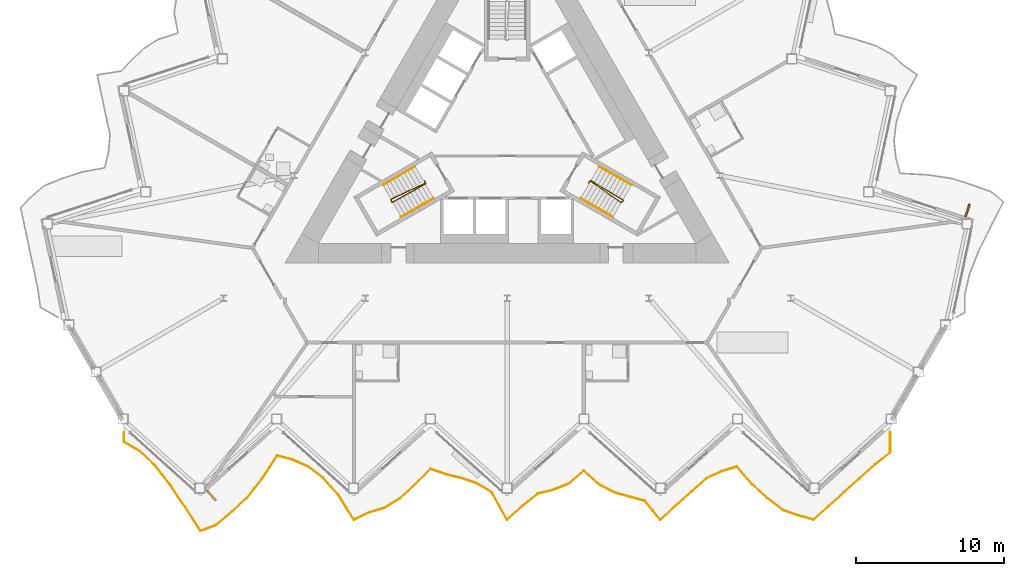
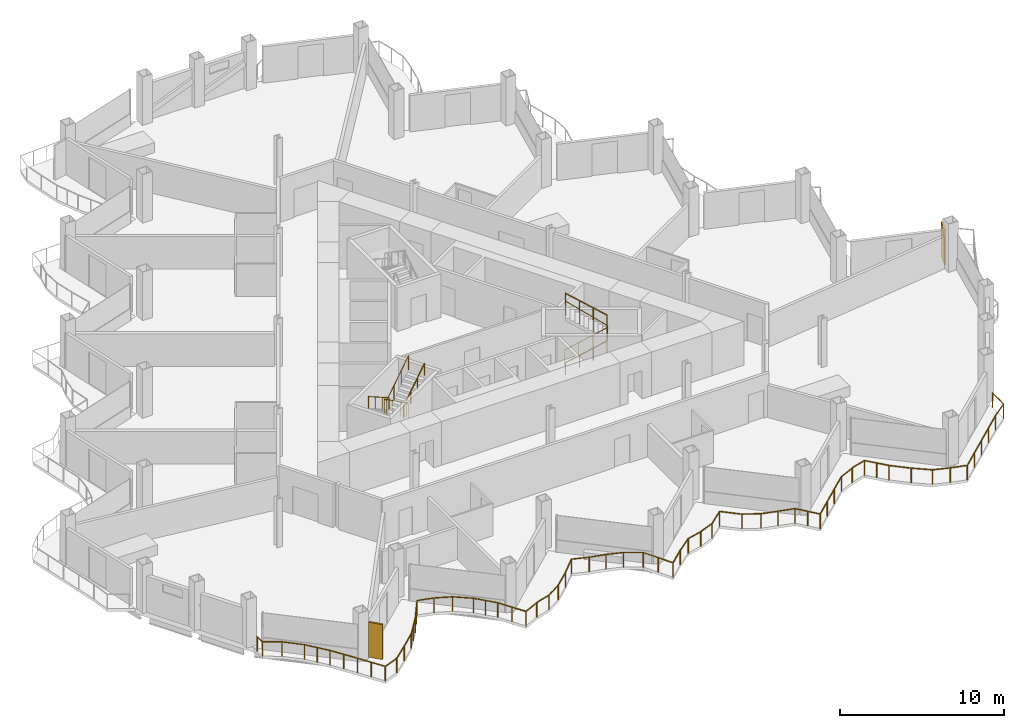
# One storey, part 19 of 23: 7 railings, 2 shading devices.
"""IFC4 building model written with IfcOpenShell, lengths in metres."""

from ifc_helpers import new_model, si_unit, direction, frame, origin, origin_2d, place, context, subcontext, project, spatial, rectangle, circle, extrude, material, layer, layer_set, type_object, element, save


model = new_model("IFC4")

# Units and contexts
model_context = context("Model", 3, precision=1e-05, world=origin(), true_north=direction((0.0, 1.0)))
body_context = subcontext(model_context, "Body", "Model", "MODEL_VIEW")
ifc_project = project(units=[si_unit("LENGTHUNIT", "METRE"), si_unit("AREAUNIT", "SQUARE_METRE"), si_unit("VOLUMEUNIT", "CUBIC_METRE"), si_unit("PLANEANGLEUNIT", "RADIAN"), si_unit("MASSUNIT", "GRAM", prefix="KILO")], contexts=[model_context])

# Site, building, storey
site_placement = place(None, origin())
site = spatial("IfcSite", under=ifc_project, at=site_placement, CompositionType="ELEMENT")
building_placement = place(site_placement, origin())
building = spatial("IfcBuilding", under=site, at=building_placement, Name="Cormorant Prow Tower", CompositionType="ELEMENT")
storey_placement = place(building_placement, frame((0.0, 0.0, 249.0)))
storey = spatial("IfcBuildingStorey", under=building, at=storey_placement, Name="L55", CompositionType="ELEMENT", Elevation=249.0)

# Railings
ifc_material_1 = material(Name="Aluminium 6063-T6", Category="aluminium")
railing_type_1 = type_object("IfcRailingType", Name="Balcony guard 1100", PredefinedType="GUARDRAIL", material=ifc_material_1)
railing_1_placement = place(storey_placement, frame((-25.87841796875, -20.13818359375, 0.0)))
element("IfcRailing", 1, at=railing_1_placement, inside=storey, type_object=railing_type_1, Name="Balcony guard S", PredefinedType="GUARDRAIL", context=body_context, shape_type="SweptSolid", body=[
    extrude(circle(Radius=0.02392578125, at=origin_2d()), frame((0.0, 0.0, 1.076171875), z_axis=(0.0, -1.0, 0.0), x_axis=(1.0, 0.0, 0.0)), (0.0, 0.0, 1.0), 0.63623046875),
    extrude(circle(Radius=0.02392578125, at=origin_2d()), frame((0.0, -0.63623046875, 1.076171875), z_axis=(0.864731790858, -0.502233939394, 0.0), x_axis=(0.502233939394, 0.864731790858, 0.0)), (0.0, 0.0, 1.0), 1.19677734375),
    extrude(circle(Radius=0.02392578125, at=origin_2d()), frame((1.034912109375, -1.2373046875, 1.076171875), z_axis=(0.734783516972, -0.67830169039, 0.0), x_axis=(0.67830169039, 0.734783516972, 0.0)), (0.0, 0.0, 1.0), 1.4091796875),
    extrude(circle(Radius=0.02392578125, at=origin_2d()), frame((2.0703125, -2.193115234375, 1.076171875), z_axis=(0.621882143602, -0.783110847498, 0.0), x_axis=(0.783110847498, 0.621882143602, 0.0)), (0.0, 0.0, 1.0), 1.6640625),
    extrude(circle(Radius=0.02392578125, at=origin_2d()), frame((3.105224609375, -3.496337890625, 1.076171875), z_axis=(0.557245233894, -0.830347968807, 0.0), x_axis=(0.830347968807, 0.557245233894, 0.0)), (0.0, 0.0, 1.0), 1.857666015625),
    extrude(circle(Radius=0.02392578125, at=origin_2d()), frame((4.140380859375, -5.038818359375, 1.076171875), z_axis=(0.542301653449, -0.840183858846, 0.0), x_axis=(0.840183858846, 0.542301653449, 0.0)), (0.0, 0.0, 1.0), 1.908935546875),
    extrude(circle(Radius=0.02392578125, at=origin_2d()), frame((5.175537109375, -6.642578125, 1.076171875), z_axis=(0.93413827097, 0.356911320512, 0.0), x_axis=(-0.356911320512, 0.93413827097, 0.0)), (0.0, 0.0, 1.0), 1.108154296875),
    extrude(circle(Radius=0.02392578125, at=origin_2d()), frame((6.210693359375, -6.2470703125, 1.076171875), z_axis=(0.761584658057, 0.648065435441, 0.0), x_axis=(-0.648065435441, 0.761584658057, 0.0)), (0.0, 0.0, 1.0), 1.359130859375),
    extrude(circle(Radius=0.02392578125, at=origin_2d()), frame((7.245849609375, -5.3662109375, 1.076171875), z_axis=(0.743119825219, 0.669158370916, 0.0), x_axis=(-0.669158370916, 0.743119825219, 0.0)), (0.0, 0.0, 1.0), 1.39306640625),
    extrude(circle(Radius=0.02392578125, at=origin_2d()), frame((8.281005859375, -4.43408203125, 1.076171875), z_axis=(0.622186479432, 0.782869072587, 0.0), x_axis=(-0.782869072587, 0.622186479432, 0.0)), (0.0, 0.0, 1.0), 1.663818359375),
    extrude(circle(Radius=0.02392578125, at=origin_2d()), frame((9.316162109375, -3.131591796875, 1.076171875), z_axis=(0.548772346659, 0.835971836573, 0.0), x_axis=(-0.835971836573, 0.548772346659, 0.0)), (0.0, 0.0, 1.0), 1.88623046875),
    extrude(circle(Radius=0.02392578125, at=origin_2d()), frame((10.351318359375, -1.5546875, 1.076171875), z_axis=(0.965988710951, -0.2585842422, 0.0), x_axis=(0.2585842422, 0.965988710951, 0.0)), (0.0, 0.0, 1.0), 1.071533203125),
    extrude(circle(Radius=0.02392578125, at=origin_2d()), frame((11.386474609375, -1.831787109375, 1.076171875), z_axis=(0.914486230803, -0.404617020987, 0.0), x_axis=(0.404617020987, 0.914486230803, 0.0)), (0.0, 0.0, 1.0), 1.1318359375),
    extrude(circle(Radius=0.02392578125, at=origin_2d()), frame((12.421630859375, -2.289794921875, 1.076171875), z_axis=(0.7996377542, -0.60048269089, 0.0), x_axis=(0.60048269089, 0.7996377542, 0.0)), (0.0, 0.0, 1.0), 1.29443359375),
    extrude(circle(Radius=0.02392578125, at=origin_2d()), frame((13.456787109375, -3.067138671875, 1.076171875), z_axis=(0.671568341198, -0.740942617954, 0.0), x_axis=(0.740942617954, 0.671568341198, 0.0)), (0.0, 0.0, 1.0), 1.54150390625),
    extrude(circle(Radius=0.02392578125, at=origin_2d()), frame((14.491943359375, -4.209228515625, 1.076171875), z_axis=(0.526645354626, -0.850085096005, 0.0), x_axis=(0.850085096005, 0.526645354626, 0.0)), (0.0, 0.0, 1.0), 1.965576171875),
    extrude(circle(Radius=0.02392578125, at=origin_2d()), frame((15.527099609375, -5.880126953125, 1.076171875), z_axis=(0.90332085821, 0.428965531393, 0.0), x_axis=(-0.428965531393, 0.90332085821, 0.0)), (0.0, 0.0, 1.0), 1.145751953125),
    extrude(circle(Radius=0.02392578125, at=origin_2d()), frame((16.56201171875, -5.388671875, 1.076171875), z_axis=(0.958834598019, 0.283965162724, 0.0), x_axis=(-0.283965162724, 0.958834598019, 0.0)), (0.0, 0.0, 1.0), 1.079833984375),
    extrude(circle(Radius=0.02392578125, at=origin_2d()), frame((17.597412109375, -5.08203125, 1.076171875), z_axis=(0.847582419617, 0.530663774867, 0.0), x_axis=(-0.530663774867, 0.847582419617, 0.0)), (0.0, 0.0, 1.0), 1.220947265625),
    extrude(circle(Radius=0.02392578125, at=origin_2d()), frame((18.63232421875, -4.43408203125, 1.076171875), z_axis=(0.743198288412, 0.669071224984, 0.0), x_axis=(-0.669071224984, 0.743198288412, 0.0)), (0.0, 0.0, 1.0), 1.39306640625),
    extrude(circle(Radius=0.02392578125, at=origin_2d()), frame((19.667724609375, -3.501953125, 1.076171875), z_axis=(0.701871936926, 0.712303154672, 0.0), x_axis=(-0.712303154672, 0.701871936926, 0.0)), (0.0, 0.0, 1.0), 1.474609375),
    extrude(circle(Radius=0.02392578125, at=origin_2d()), frame((20.70263671875, -2.45166015625, 1.076171875), z_axis=(0.943788930542, -0.330548717418, 0.0), x_axis=(0.330548717418, 0.943788930542, 0.0)), (0.0, 0.0, 1.0), 1.096923828125),
    extrude(circle(Radius=0.02392578125, at=origin_2d()), frame((21.73779296875, -2.814208984375, 1.076171875), z_axis=(0.97051833299, -0.241027312415, 0.0), x_axis=(0.241027312415, 0.97051833299, 0.0)), (0.0, 0.0, 1.0), 1.066650390625),
    extrude(circle(Radius=0.02392578125, at=origin_2d()), frame((22.77294921875, -3.0712890625, 1.076171875), z_axis=(0.947830404548, -0.318775037001, 0.0), x_axis=(0.318775037001, 0.947830404548, 0.0)), (0.0, 0.0, 1.0), 1.092041015625),
    extrude(circle(Radius=0.02392578125, at=origin_2d()), frame((23.80810546875, -3.41943359375, 1.076171875), z_axis=(0.861589246456, -0.50760611737, 0.0), x_axis=(0.50760611737, 0.861589246456, 0.0)), (0.0, 0.0, 1.0), 1.201416015625),
    extrude(circle(Radius=0.02392578125, at=origin_2d()), frame((24.84326171875, -4.029296875, 1.076171875), z_axis=(0.488133539836, -0.872768954127, 0.0), x_axis=(0.872768954127, 0.488133539836, 0.0)), (0.0, 0.0, 1.0), 2.12060546875),
    extrude(circle(Radius=0.02392578125, at=origin_2d()), frame((25.87841796875, -5.880126953125, 1.076171875), z_axis=(0.743206981817, 0.669061568301, 0.0), x_axis=(-0.669061568301, 0.743206981817, 0.0)), (0.0, 0.0, 1.0), 1.392822265625),
    extrude(circle(Radius=0.02392578125, at=origin_2d()), frame((26.91357421875, -4.9482421875, 1.076171875), z_axis=(0.782666453868, 0.622441340199, 0.0), x_axis=(-0.622441340199, 0.782666453868, 0.0)), (0.0, 0.0, 1.0), 1.322509765625),
    extrude(circle(Radius=0.02392578125, at=origin_2d()), frame((27.94873046875, -4.125, 1.076171875), z_axis=(0.969493451379, 0.245117212235, 0.0), x_axis=(-0.245117212235, 0.969493451379, 0.0)), (0.0, 0.0, 1.0), 1.067626953125),
    extrude(circle(Radius=0.02392578125, at=origin_2d()), frame((28.98388671875, -3.86328125, 1.076171875), z_axis=(0.932367359596, 0.361512249806, 0.0), x_axis=(-0.361512249806, 0.932367359596, 0.0)), (0.0, 0.0, 1.0), 1.1103515625),
    extrude(circle(Radius=0.02392578125, at=origin_2d()), frame((30.01904296875, -3.4619140625, 1.076171875), z_axis=(0.757601893747, 0.652716914589, 0.0), x_axis=(-0.652716914589, 0.757601893747, 0.0)), (0.0, 0.0, 1.0), 1.366455078125),
    extrude(circle(Radius=0.02392578125, at=origin_2d()), frame((31.05419921875, -2.570068359375, 1.076171875), z_axis=(0.743128501462, -0.66914873557, 0.0), x_axis=(0.66914873557, 0.743128501462, 0.0)), (0.0, 0.0, 1.0), 1.392578125),
    extrude(circle(Radius=0.02392578125, at=origin_2d()), frame((32.089111328125, -3.501953125, 1.076171875), z_axis=(0.884411054708, -0.466708781051, 0.0), x_axis=(0.466708781051, 0.884411054708, 0.0)), (0.0, 0.0, 1.0), 1.170654296875),
    extrude(circle(Radius=0.02392578125, at=origin_2d()), frame((33.12451171875, -4.04833984375, 1.076171875), z_axis=(0.964305649487, -0.264791643313, 0.0), x_axis=(0.264791643313, 0.964305649487, 0.0)), (0.0, 0.0, 1.0), 1.0732421875),
    extrude(circle(Radius=0.02392578125, at=origin_2d()), frame((34.159423828125, -4.33251953125, 1.076171875), z_axis=(0.96537578836, -0.26086315809, 0.0), x_axis=(0.26086315809, 0.96537578836, 0.0)), (0.0, 0.0, 1.0), 1.072509765625),
    extrude(circle(Radius=0.02392578125, at=origin_2d()), frame((35.19482421875, -4.6123046875, 1.076171875), z_axis=(0.632360047149, -0.774674622516, 0.0), x_axis=(0.774674622516, 0.632360047149, 0.0)), (0.0, 0.0, 1.0), 1.636474609375),
    extrude(circle(Radius=0.02392578125, at=origin_2d()), frame((36.229736328125, -5.880126953125, 1.076171875), z_axis=(0.743206981817, 0.669061568301, 0.0), x_axis=(-0.669061568301, 0.743206981817, 0.0)), (0.0, 0.0, 1.0), 1.392822265625),
    extrude(circle(Radius=0.02392578125, at=origin_2d()), frame((37.264892578125, -4.9482421875, 1.076171875), z_axis=(0.743119825219, 0.669158370916, 0.0), x_axis=(-0.669158370916, 0.743119825219, 0.0)), (0.0, 0.0, 1.0), 1.39306640625),
    extrude(circle(Radius=0.02392578125, at=origin_2d()), frame((38.300048828125, -4.01611328125, 1.076171875), z_axis=(0.743206981817, 0.669061568301, 0.0), x_axis=(-0.669061568301, 0.743206981817, 0.0)), (0.0, 0.0, 1.0), 1.392822265625),
    extrude(circle(Radius=0.02392578125, at=origin_2d()), frame((39.335205078125, -3.084228515625, 1.076171875), z_axis=(0.909335405661, 0.416063841269, 0.0), x_axis=(-0.416063841269, 0.909335405661, 0.0)), (0.0, 0.0, 1.0), 1.138427734375),
    extrude(circle(Radius=0.02392578125, at=origin_2d()), frame((40.370361328125, -2.610595703125, 1.076171875), z_axis=(0.957888441811, 0.287140615458, 0.0), x_axis=(-0.287140615458, 0.957888441811, 0.0)), (0.0, 0.0, 1.0), 1.08056640625),
    extrude(circle(Radius=0.02392578125, at=origin_2d()), frame((41.405517578125, -2.30029296875, 1.076171875), z_axis=(0.652665528351, -0.757646162864, 0.0), x_axis=(0.757646162864, 0.652665528351, 0.0)), (0.0, 0.0, 1.0), 1.5859375),
    extrude(circle(Radius=0.02392578125, at=origin_2d()), frame((42.440673828125, -3.501953125, 1.076171875), z_axis=(0.743119825219, -0.669158370916, 0.0), x_axis=(0.669158370916, 0.743119825219, 0.0)), (0.0, 0.0, 1.0), 1.39306640625),
    extrude(circle(Radius=0.02392578125, at=origin_2d()), frame((43.475830078125, -4.43408203125, 1.076171875), z_axis=(0.790685851487, -0.612222087366, 0.0), x_axis=(0.612222087366, 0.790685851487, 0.0)), (0.0, 0.0, 1.0), 1.30908203125),
    extrude(circle(Radius=0.02392578125, at=origin_2d()), frame((44.510986328125, -5.235595703125, 1.076171875), z_axis=(0.945240232719, -0.326375401109, 0.0), x_axis=(0.326375401109, 0.945240232719, 0.0)), (0.0, 0.0, 1.0), 1.09521484375),
    extrude(circle(Radius=0.02392578125, at=origin_2d()), frame((45.546142578125, -5.593017578125, 1.076171875), z_axis=(0.96362202887, -0.267268751404, 0.0), x_axis=(0.267268751404, 0.96362202887, 0.0)), (0.0, 0.0, 1.0), 1.07421875),
    extrude(circle(Radius=0.02392578125, at=origin_2d()), frame((46.581298828125, -5.880126953125, 1.076171875), z_axis=(0.743206981817, 0.669061568301, 0.0), x_axis=(-0.669061568301, 0.743206981817, 0.0)), (0.0, 0.0, 1.0), 1.392822265625),
    extrude(circle(Radius=0.02392578125, at=origin_2d()), frame((47.616455078125, -4.9482421875, 1.076171875), z_axis=(0.743119825219, 0.669158370916, 0.0), x_axis=(-0.669158370916, 0.743119825219, 0.0)), (0.0, 0.0, 1.0), 1.39306640625),
    extrude(circle(Radius=0.02392578125, at=origin_2d()), frame((48.651611328125, -4.01611328125, 1.076171875), z_axis=(0.743128501462, 0.66914873557, 0.0), x_axis=(-0.66914873557, 0.743128501462, 0.0)), (0.0, 0.0, 1.0), 1.392578125),
    extrude(circle(Radius=0.02392578125, at=origin_2d()), frame((49.6865234375, -3.084228515625, 1.076171875), z_axis=(0.743198288412, 0.669071224984, 0.0), x_axis=(-0.669071224984, 0.743198288412, 0.0)), (0.0, 0.0, 1.0), 1.39306640625),
    extrude(circle(Radius=0.02392578125, at=origin_2d()), frame((50.721923828125, -2.152099609375, 1.076171875), z_axis=(0.789261978019, 0.614056617954, 0.0), x_axis=(-0.614056617954, 0.789261978019, 0.0)), (0.0, 0.0, 1.0), 1.311279296875),
    extrude(circle(Radius=0.02392578125, at=origin_2d()), frame((51.7568359375, -1.346923828125, 1.076171875), z_axis=(0.0, 1.0, 0.0), x_axis=(-1.0, 0.0, 0.0)), (0.0, 0.0, 1.0), 1.346923828125),
    extrude(circle(Radius=0.02099609375, at=origin_2d()), origin(), (0.0, 0.0, 1.0), 1.052001953125),
    extrude(circle(Radius=0.02099609375, at=origin_2d()), frame((0.0, -0.63623046875, 0.0)), (0.0, 0.0, 1.0), 1.052001953125),
    extrude(circle(Radius=0.02099609375, at=origin_2d()), frame((1.034912109375, -1.2373046875, 0.0)), (0.0, 0.0, 1.0), 1.052001953125),
    extrude(circle(Radius=0.02099609375, at=origin_2d()), frame((2.0703125, -2.193115234375, 0.0)), (0.0, 0.0, 1.0), 1.052001953125),
    extrude(circle(Radius=0.02099609375, at=origin_2d()), frame((2.587890625, -2.8447265625, 0.0)), (0.0, 0.0, 1.0), 1.052001953125),
    extrude(circle(Radius=0.02099609375, at=origin_2d()), frame((3.105224609375, -3.496337890625, 0.0)), (0.0, 0.0, 1.0), 1.052001953125),
    extrude(circle(Radius=0.02099609375, at=origin_2d()), frame((3.622802734375, -4.267578125, 0.0)), (0.0, 0.0, 1.0), 1.052001953125),
    extrude(circle(Radius=0.02099609375, at=origin_2d()), frame((4.140380859375, -5.038818359375, 0.0)), (0.0, 0.0, 1.0), 1.052001953125),
    extrude(circle(Radius=0.02099609375, at=origin_2d()), frame((4.657958984375, -5.8408203125, 0.0)), (0.0, 0.0, 1.0), 1.052001953125),
    extrude(circle(Radius=0.02099609375, at=origin_2d()), frame((5.175537109375, -6.642578125, 0.0)), (0.0, 0.0, 1.0), 1.052001953125),
    extrude(circle(Radius=0.02099609375, at=origin_2d()), frame((6.210693359375, -6.2470703125, 0.0)), (0.0, 0.0, 1.0), 1.052001953125),
    extrude(circle(Radius=0.02099609375, at=origin_2d()), frame((7.245849609375, -5.3662109375, 0.0)), (0.0, 0.0, 1.0), 1.052001953125),
    extrude(circle(Radius=0.02099609375, at=origin_2d()), frame((8.281005859375, -4.43408203125, 0.0)), (0.0, 0.0, 1.0), 1.052001953125),
    extrude(circle(Radius=0.02099609375, at=origin_2d()), frame((8.798583984375, -3.78271484375, 0.0)), (0.0, 0.0, 1.0), 1.052001953125),
    extrude(circle(Radius=0.02099609375, at=origin_2d()), frame((9.316162109375, -3.131591796875, 0.0)), (0.0, 0.0, 1.0), 1.052001953125),
    extrude(circle(Radius=0.02099609375, at=origin_2d()), frame((9.833740234375, -2.34326171875, 0.0)), (0.0, 0.0, 1.0), 1.052001953125),
    extrude(circle(Radius=0.02099609375, at=origin_2d()), frame((10.351318359375, -1.5546875, 0.0)), (0.0, 0.0, 1.0), 1.052001953125),
    extrude(circle(Radius=0.02099609375, at=origin_2d()), frame((11.386474609375, -1.831787109375, 0.0)), (0.0, 0.0, 1.0), 1.052001953125),
    extrude(circle(Radius=0.02099609375, at=origin_2d()), frame((12.421630859375, -2.289794921875, 0.0)), (0.0, 0.0, 1.0), 1.052001953125),
    extrude(circle(Radius=0.02099609375, at=origin_2d()), frame((13.456787109375, -3.067138671875, 0.0)), (0.0, 0.0, 1.0), 1.052001953125),
    extrude(circle(Radius=0.02099609375, at=origin_2d()), frame((13.974365234375, -3.63818359375, 0.0)), (0.0, 0.0, 1.0), 1.052001953125),
    extrude(circle(Radius=0.02099609375, at=origin_2d()), frame((14.491943359375, -4.209228515625, 0.0)), (0.0, 0.0, 1.0), 1.052001953125),
    extrude(circle(Radius=0.02099609375, at=origin_2d()), frame((15.009521484375, -5.044677734375, 0.0)), (0.0, 0.0, 1.0), 1.052001953125),
    extrude(circle(Radius=0.02099609375, at=origin_2d()), frame((15.527099609375, -5.880126953125, 0.0)), (0.0, 0.0, 1.0), 1.052001953125),
    extrude(circle(Radius=0.02099609375, at=origin_2d()), frame((16.56201171875, -5.388671875, 0.0)), (0.0, 0.0, 1.0), 1.052001953125),
    extrude(circle(Radius=0.02099609375, at=origin_2d()), frame((17.597412109375, -5.08203125, 0.0)), (0.0, 0.0, 1.0), 1.052001953125),
    extrude(circle(Radius=0.02099609375, at=origin_2d()), frame((18.63232421875, -4.43408203125, 0.0)), (0.0, 0.0, 1.0), 1.052001953125),
    extrude(circle(Radius=0.02099609375, at=origin_2d()), frame((19.667724609375, -3.501953125, 0.0)), (0.0, 0.0, 1.0), 1.052001953125),
    extrude(circle(Radius=0.02099609375, at=origin_2d()), frame((20.70263671875, -2.45166015625, 0.0)), (0.0, 0.0, 1.0), 1.052001953125),
    extrude(circle(Radius=0.02099609375, at=origin_2d()), frame((21.73779296875, -2.814208984375, 0.0)), (0.0, 0.0, 1.0), 1.052001953125),
    extrude(circle(Radius=0.02099609375, at=origin_2d()), frame((22.77294921875, -3.0712890625, 0.0)), (0.0, 0.0, 1.0), 1.052001953125),
    extrude(circle(Radius=0.02099609375, at=origin_2d()), frame((23.80810546875, -3.41943359375, 0.0)), (0.0, 0.0, 1.0), 1.052001953125),
    extrude(circle(Radius=0.02099609375, at=origin_2d()), frame((24.84326171875, -4.029296875, 0.0)), (0.0, 0.0, 1.0), 1.052001953125),
    extrude(circle(Radius=0.02099609375, at=origin_2d()), frame((25.36083984375, -4.95458984375, 0.0)), (0.0, 0.0, 1.0), 1.052001953125),
    extrude(circle(Radius=0.02099609375, at=origin_2d()), frame((25.87841796875, -5.880126953125, 0.0)), (0.0, 0.0, 1.0), 1.052001953125),
    extrude(circle(Radius=0.02099609375, at=origin_2d()), frame((26.91357421875, -4.9482421875, 0.0)), (0.0, 0.0, 1.0), 1.052001953125),
    extrude(circle(Radius=0.02099609375, at=origin_2d()), frame((27.94873046875, -4.125, 0.0)), (0.0, 0.0, 1.0), 1.052001953125),
    extrude(circle(Radius=0.02099609375, at=origin_2d()), frame((28.98388671875, -3.86328125, 0.0)), (0.0, 0.0, 1.0), 1.052001953125),
    extrude(circle(Radius=0.02099609375, at=origin_2d()), frame((30.01904296875, -3.4619140625, 0.0)), (0.0, 0.0, 1.0), 1.052001953125),
    extrude(circle(Radius=0.02099609375, at=origin_2d()), frame((31.05419921875, -2.570068359375, 0.0)), (0.0, 0.0, 1.0), 1.052001953125),
    extrude(circle(Radius=0.02099609375, at=origin_2d()), frame((32.089111328125, -3.501953125, 0.0)), (0.0, 0.0, 1.0), 1.052001953125),
    extrude(circle(Radius=0.02099609375, at=origin_2d()), frame((33.12451171875, -4.04833984375, 0.0)), (0.0, 0.0, 1.0), 1.052001953125),
    extrude(circle(Radius=0.02099609375, at=origin_2d()), frame((34.159423828125, -4.33251953125, 0.0)), (0.0, 0.0, 1.0), 1.052001953125),
    extrude(circle(Radius=0.02099609375, at=origin_2d()), frame((35.19482421875, -4.6123046875, 0.0)), (0.0, 0.0, 1.0), 1.052001953125),
    extrude(circle(Radius=0.02099609375, at=origin_2d()), frame((35.71240234375, -5.24609375, 0.0)), (0.0, 0.0, 1.0), 1.052001953125),
    extrude(circle(Radius=0.02099609375, at=origin_2d()), frame((36.229736328125, -5.880126953125, 0.0)), (0.0, 0.0, 1.0), 1.052001953125),
    extrude(circle(Radius=0.02099609375, at=origin_2d()), frame((37.264892578125, -4.9482421875, 0.0)), (0.0, 0.0, 1.0), 1.052001953125),
    extrude(circle(Radius=0.02099609375, at=origin_2d()), frame((38.300048828125, -4.01611328125, 0.0)), (0.0, 0.0, 1.0), 1.052001953125),
    extrude(circle(Radius=0.02099609375, at=origin_2d()), frame((39.335205078125, -3.084228515625, 0.0)), (0.0, 0.0, 1.0), 1.052001953125),
    extrude(circle(Radius=0.02099609375, at=origin_2d()), frame((40.370361328125, -2.610595703125, 0.0)), (0.0, 0.0, 1.0), 1.052001953125),
    extrude(circle(Radius=0.02099609375, at=origin_2d()), frame((41.405517578125, -2.30029296875, 0.0)), (0.0, 0.0, 1.0), 1.052001953125),
    extrude(circle(Radius=0.02099609375, at=origin_2d()), frame((41.923095703125, -2.901123046875, 0.0)), (0.0, 0.0, 1.0), 1.052001953125),
    extrude(circle(Radius=0.02099609375, at=origin_2d()), frame((42.440673828125, -3.501953125, 0.0)), (0.0, 0.0, 1.0), 1.052001953125),
    extrude(circle(Radius=0.02099609375, at=origin_2d()), frame((43.475830078125, -4.43408203125, 0.0)), (0.0, 0.0, 1.0), 1.052001953125),
    extrude(circle(Radius=0.02099609375, at=origin_2d()), frame((44.510986328125, -5.235595703125, 0.0)), (0.0, 0.0, 1.0), 1.052001953125),
    extrude(circle(Radius=0.02099609375, at=origin_2d()), frame((45.546142578125, -5.593017578125, 0.0)), (0.0, 0.0, 1.0), 1.052001953125),
    extrude(circle(Radius=0.02099609375, at=origin_2d()), frame((46.581298828125, -5.880126953125, 0.0)), (0.0, 0.0, 1.0), 1.052001953125),
    extrude(circle(Radius=0.02099609375, at=origin_2d()), frame((47.616455078125, -4.9482421875, 0.0)), (0.0, 0.0, 1.0), 1.052001953125),
    extrude(circle(Radius=0.02099609375, at=origin_2d()), frame((48.651611328125, -4.01611328125, 0.0)), (0.0, 0.0, 1.0), 1.052001953125),
    extrude(circle(Radius=0.02099609375, at=origin_2d()), frame((49.6865234375, -3.084228515625, 0.0)), (0.0, 0.0, 1.0), 1.052001953125),
    extrude(circle(Radius=0.02099609375, at=origin_2d()), frame((50.721923828125, -2.152099609375, 0.0)), (0.0, 0.0, 1.0), 1.052001953125),
    extrude(circle(Radius=0.02099609375, at=origin_2d()), frame((51.7568359375, -1.346923828125, 0.0)), (0.0, 0.0, 1.0), 1.052001953125),
    extrude(circle(Radius=0.02099609375, at=origin_2d()), frame((51.7568359375, 0.0, 0.0)), (0.0, 0.0, 1.0), 1.052001953125),
])
ifc_material_2 = material(Name="Stainless steel", Category="steel")
railing_type_2 = type_object("IfcRailingType", Name="Stair guard 1100", PredefinedType="GUARDRAIL", material=ifc_material_2)
railing_2_placement = place(storey_placement, frame((-5.585205078125, -3.137939453125, 0.0)))
element("IfcRailing", 2, at=railing_2_placement, inside=storey, type_object=railing_type_2, Name="L55 ST1 stair guard 1", PredefinedType="GUARDRAIL", context=body_context, shape_type="SweptSolid", body=[
    extrude(circle(Radius=0.02392578125, at=origin_2d()), frame((0.0, 0.0, 1.076171875), z_axis=(0.501036270542, -0.865426285481, 0.0), x_axis=(0.865426285481, 0.501036270542, 0.0)), (0.0, 0.0, 1.0), 0.150146484375),
    extrude(circle(Radius=0.02392578125, at=origin_2d()), frame((0.0751953125, -0.1298828125, 1.076171875), z_axis=(-0.739707038506, -0.353624380995, 0.572523619033), x_axis=(0.431308035802, -0.902204731895, 0.0)), (0.0, 0.0, 1.0), 3.14404296875),
    extrude(circle(Radius=0.02392578125, at=origin_2d()), frame((-2.25048828125, -1.24169921875, 2.8759765625), z_axis=(0.274721127897, -0.961523947641, 0.0), x_axis=(0.961523947641, 0.274721127897, 0.0)), (0.0, 0.0, 1.0), 0.2060546875),
    extrude(circle(Radius=0.02392578125, at=origin_2d()), frame((-2.19384765625, -1.43994140625, 2.8759765625), z_axis=(0.717223475266, 0.39568267656, 0.573607623727), x_axis=(-0.483052234887, 0.87559153626, 0.0)), (0.0, 0.0, 1.0), 3.13818359375),
    extrude(circle(Radius=0.02099609375, at=origin_2d()), origin(), (0.0, 0.0, 1.0), 1.052001953125),
    extrude(circle(Radius=0.02099609375, at=origin_2d()), frame((0.0751953125, -0.1298828125, 0.0)), (0.0, 0.0, 1.0), 1.052001953125),
    extrude(circle(Radius=0.02099609375, at=origin_2d()), frame((-0.699951171875, -0.50048828125, 0.60009765625)), (0.0, 0.0, 1.0), 1.052001953125),
    extrude(circle(Radius=0.02099609375, at=origin_2d()), frame((-1.475341796875, -0.87109375, 1.199951171875)), (0.0, 0.0, 1.0), 1.052001953125),
    extrude(circle(Radius=0.02099609375, at=origin_2d()), frame((-2.25048828125, -1.24169921875, 1.800048828125)), (0.0, 0.0, 1.0), 1.052001953125),
    extrude(circle(Radius=0.02099609375, at=origin_2d()), frame((-2.19384765625, -1.43994140625, 1.800048828125)), (0.0, 0.0, 1.0), 1.052001953125),
    extrude(circle(Radius=0.02099609375, at=origin_2d()), frame((-1.443603515625, -1.026123046875, 2.400146484375)), (0.0, 0.0, 1.0), 1.052001953125),
    extrude(circle(Radius=0.02099609375, at=origin_2d()), frame((-0.693359375, -0.612060546875, 3.0)), (0.0, 0.0, 1.0), 1.052001953125),
    extrude(circle(Radius=0.02099609375, at=origin_2d()), frame((0.056884765625, -0.1982421875, 3.60009765625)), (0.0, 0.0, 1.0), 1.052001953125),
])
railing_3_placement = place(storey_placement, frame((5.510009765625, -3.267822265625, 0.0)))
element("IfcRailing", 3, at=railing_3_placement, inside=storey, type_object=railing_type_2, Name="L55 ST2 stair guard 1", PredefinedType="GUARDRAIL", context=body_context, shape_type="SweptSolid", body=[
    extrude(circle(Radius=0.02392578125, at=origin_2d()), frame((0.0, 0.0, 1.076171875), z_axis=(0.501036270542, 0.865426285481, 0.0), x_axis=(-0.865426285481, 0.501036270542, 0.0)), (0.0, 0.0, 1.0), 0.150146484375),
    extrude(circle(Radius=0.02392578125, at=origin_2d()), frame((0.0751953125, 0.1298828125, 1.076171875), z_axis=(0.676058237057, -0.463829066155, 0.572545070276), x_axis=(0.565732651216, 0.824588726183, 0.0)), (0.0, 0.0, 1.0), 3.14404296875),
    extrude(circle(Radius=0.02392578125, at=origin_2d()), frame((2.20068359375, -1.328369140625, 2.8759765625), z_axis=(0.695164929852, 0.718850276695, 0.0), x_axis=(-0.718850276695, 0.695164929852, 0.0)), (0.0, 0.0, 1.0), 0.2060546875),
    extrude(circle(Radius=0.02392578125, at=origin_2d()), frame((2.343994140625, -1.18017578125, 2.8759765625), z_axis=(-0.70127624584, 0.423301980654, 0.573608804147), x_axis=(-0.516770599887, -0.856123908726, 0.0)), (0.0, 0.0, 1.0), 3.13818359375),
    extrude(circle(Radius=0.02099609375, at=origin_2d()), origin(), (0.0, 0.0, 1.0), 1.052001953125),
    extrude(circle(Radius=0.02099609375, at=origin_2d()), frame((0.0751953125, 0.1298828125, 0.0)), (0.0, 0.0, 1.0), 1.052001953125),
    extrude(circle(Radius=0.02099609375, at=origin_2d()), frame((0.78369140625, -0.356201171875, 0.60009765625)), (0.0, 0.0, 1.0), 1.052001953125),
    extrude(circle(Radius=0.02099609375, at=origin_2d()), frame((1.4921875, -0.84228515625, 1.199951171875)), (0.0, 0.0, 1.0), 1.052001953125),
    extrude(circle(Radius=0.02099609375, at=origin_2d()), frame((2.20068359375, -1.328369140625, 1.800048828125)), (0.0, 0.0, 1.0), 1.052001953125),
    extrude(circle(Radius=0.02099609375, at=origin_2d()), frame((2.343994140625, -1.18017578125, 1.800048828125)), (0.0, 0.0, 1.0), 1.052001953125),
    extrude(circle(Radius=0.02099609375, at=origin_2d()), frame((1.6103515625, -0.7373046875, 2.400146484375)), (0.0, 0.0, 1.0), 1.052001953125),
    extrude(circle(Radius=0.02099609375, at=origin_2d()), frame((0.876953125, -0.294677734375, 3.0)), (0.0, 0.0, 1.0), 1.052001953125),
    extrude(circle(Radius=0.02099609375, at=origin_2d()), frame((0.143310546875, 0.148193359375, 3.60009765625)), (0.0, 0.0, 1.0), 1.052001953125),
])
ifc_material_3 = material(Name="Stainless steel", Category="steel")
railing_type_3 = type_object("IfcRailingType", Name="Stair handrail 900", PredefinedType="HANDRAIL", material=ifc_material_3)
railing_4_placement = place(storey_placement, frame((-6.212890625, -2.150634765625, 0.179931640625)))
element("IfcRailing", 4, at=railing_4_placement, inside=storey, type_object=railing_type_3, Name="L55 ST1 stair handrail 1", PredefinedType="HANDRAIL", context=body_context, shape_type="SweptSolid", body=[
    extrude(circle(Radius=0.02392578125, at=origin_2d()), frame((0.0, 0.0, 0.8759765625), z_axis=(-0.728463801763, -0.420584145978, 0.540785970299), x_axis=(0.500004791531, -0.866022637375, 0.0)), (0.0, 0.0, 1.0), 2.995849609375),
    extrude(circle(Radius=0.02099609375, at=origin_2d()), origin(), (0.0, 0.0, 1.0), 0.851806640625),
    extrude(circle(Radius=0.02099609375, at=origin_2d()), frame((-0.7275390625, -0.419921875, 0.5400390625)), (0.0, 0.0, 1.0), 0.851806640625),
    extrude(circle(Radius=0.02099609375, at=origin_2d()), frame((-1.454833984375, -0.840087890625, 1.080078125)), (0.0, 0.0, 1.0), 0.851806640625),
    extrude(circle(Radius=0.02099609375, at=origin_2d()), frame((-2.182373046875, -1.260009765625, 1.6201171875)), (0.0, 0.0, 1.0), 0.851806640625),
])
railing_5_placement = place(storey_placement, frame((-7.1513671875, -5.565185546875, 1.97998046875)))
element("IfcRailing", 5, at=railing_5_placement, inside=storey, type_object=railing_type_3, Name="L55 ST1 stair handrail 2", PredefinedType="HANDRAIL", context=body_context, shape_type="SweptSolid", body=[
    extrude(circle(Radius=0.02392578125, at=origin_2d()), frame((0.0, 0.0, 0.8759765625), z_axis=(0.728463801763, 0.420584145978, 0.540785970299), x_axis=(-0.500004791531, 0.866022637375, 0.0)), (0.0, 0.0, 1.0), 2.995849609375),
    extrude(circle(Radius=0.02099609375, at=origin_2d()), origin(), (0.0, 0.0, 1.0), 0.851806640625),
    extrude(circle(Radius=0.02099609375, at=origin_2d()), frame((0.7275390625, 0.419921875, 0.5400390625)), (0.0, 0.0, 1.0), 0.851806640625),
    extrude(circle(Radius=0.02099609375, at=origin_2d()), frame((1.454833984375, 0.840087890625, 1.080078125)), (0.0, 0.0, 1.0), 0.851806640625),
    extrude(circle(Radius=0.02099609375, at=origin_2d()), frame((2.182373046875, 1.260009765625, 1.6201171875)), (0.0, 0.0, 1.0), 0.851806640625),
])
railing_6_placement = place(storey_placement, frame((4.968994140625, -4.30517578125, 0.179931640625)))
element("IfcRailing", 6, at=railing_6_placement, inside=storey, type_object=railing_type_3, Name="L55 ST2 stair handrail 1", PredefinedType="HANDRAIL", context=body_context, shape_type="SweptSolid", body=[
    extrude(circle(Radius=0.02392578125, at=origin_2d()), frame((0.0, 0.0, 0.8759765625), z_axis=(0.728463801763, -0.420584145978, 0.540785970299), x_axis=(0.500004791531, 0.866022637375, 0.0)), (0.0, 0.0, 1.0), 2.995849609375),
    extrude(circle(Radius=0.02099609375, at=origin_2d()), origin(), (0.0, 0.0, 1.0), 0.851806640625),
    extrude(circle(Radius=0.02099609375, at=origin_2d()), frame((0.7275390625, -0.419921875, 0.5400390625)), (0.0, 0.0, 1.0), 0.851806640625),
    extrude(circle(Radius=0.02099609375, at=origin_2d()), frame((1.454833984375, -0.840087890625, 1.080078125)), (0.0, 0.0, 1.0), 0.851806640625),
    extrude(circle(Radius=0.02099609375, at=origin_2d()), frame((2.182373046875, -1.260009765625, 1.6201171875)), (0.0, 0.0, 1.0), 0.851806640625),
])
railing_7_placement = place(storey_placement, frame((8.395263671875, -3.41064453125, 1.97998046875)))
element("IfcRailing", 7, at=railing_7_placement, inside=storey, type_object=railing_type_3, Name="L55 ST2 stair handrail 2", PredefinedType="HANDRAIL", context=body_context, shape_type="SweptSolid", body=[
    extrude(circle(Radius=0.02392578125, at=origin_2d()), frame((0.0, 0.0, 0.8759765625), z_axis=(-0.728463801763, 0.420584145978, 0.540785970299), x_axis=(-0.500004791531, -0.866022637375, 0.0)), (0.0, 0.0, 1.0), 2.995849609375),
    extrude(circle(Radius=0.02099609375, at=origin_2d()), origin(), (0.0, 0.0, 1.0), 0.851806640625),
    extrude(circle(Radius=0.02099609375, at=origin_2d()), frame((-0.7275390625, 0.419921875, 0.5400390625)), (0.0, 0.0, 1.0), 0.851806640625),
    extrude(circle(Radius=0.02099609375, at=origin_2d()), frame((-1.454833984375, 0.840087890625, 1.080078125)), (0.0, 0.0, 1.0), 0.851806640625),
    extrude(circle(Radius=0.02099609375, at=origin_2d()), frame((-2.182373046875, 1.260009765625, 1.6201171875)), (0.0, 0.0, 1.0), 0.851806640625),
])

# Shading devices
ifc_material_4 = material(Name="Terracotta", Category="masonry")
ifc_layer = layer(ifc_material_4, 0.1201171875)
ifc_layer_set = layer_set([ifc_layer], Name="Terracotta")
shading_device_type = type_object("IfcShadingDeviceType", Name="Terracotta baguette fin 120x900x2600", PredefinedType="USERDEFINED", material=ifc_layer_set)
for number, where, z_axis, x_axis, name in (
    (8, (-19.98486328125, -24.37744140625, 0.0), (0.0, 0.0, 1.0), (0.743144812176, 0.669130621132, 0.0), "Baguette fin S01"),
    (9, (31.10400390625, -5.11865234375, 0.0), (0.0, 0.0, 1.0), (-0.951056546466, 0.30901690152, 0.0), "Baguette fin ENE01"),
):
    element("IfcShadingDevice", number, at=place(storey_placement, frame(where, z_axis=z_axis, x_axis=x_axis)), inside=storey, type_object=shading_device_type, Name=name, ObjectType="BAGUETTE", PredefinedType="USERDEFINED", context=body_context, shape_type="SweptSolid", body=[
        extrude(rectangle(XDim=0.1201171875, YDim=0.89990234375, at=origin_2d()), origin(), (0.0, 0.0, 1.0), 2.60009765625),
    ])

save(model, "model.ifc")
